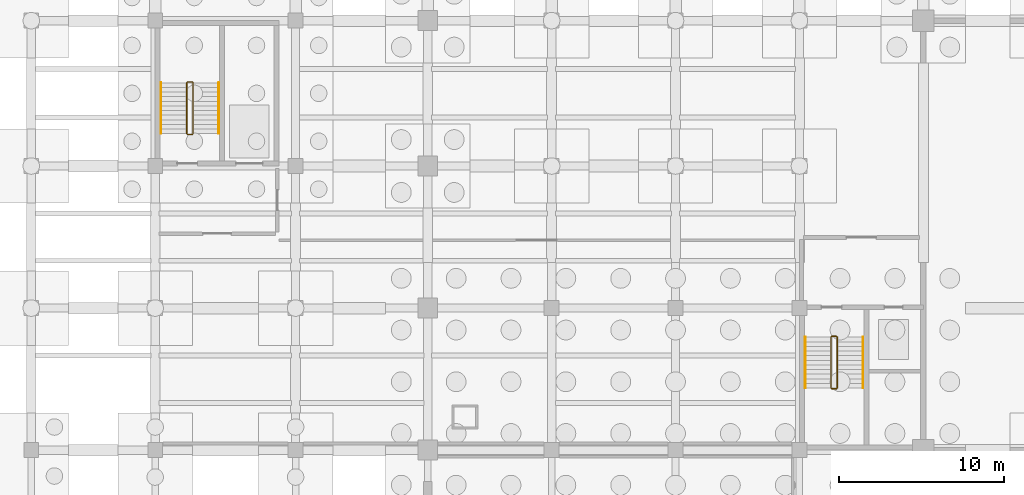
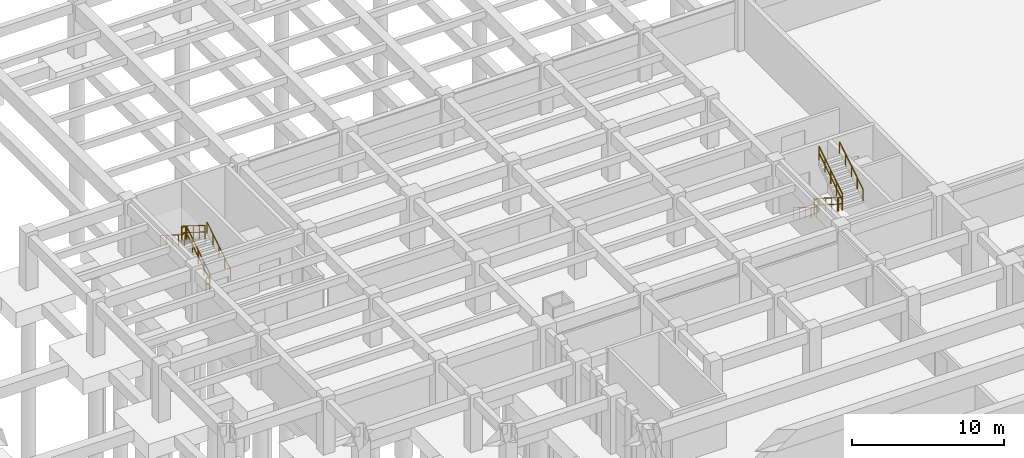
# One storey, part 30 of 32: 12 railings.
"""IFC4 building model written with IfcOpenShell, lengths in metres."""

from ifc_helpers import new_model, si_unit, direction, frame, origin, origin_2d, place, context, subcontext, project, spatial, circle, extrude, material, type_object, element, save


model = new_model("IFC4")

# Units and contexts
model_context = context("Model", 3, precision=1e-05, world=origin(), true_north=direction((0.0, 1.0)))
body_context = subcontext(model_context, "Body", "Model", "MODEL_VIEW")
ifc_project = project(units=[si_unit("LENGTHUNIT", "METRE"), si_unit("AREAUNIT", "SQUARE_METRE"), si_unit("VOLUMEUNIT", "CUBIC_METRE"), si_unit("PLANEANGLEUNIT", "RADIAN"), si_unit("MASSUNIT", "GRAM", prefix="KILO")], contexts=[model_context])

# Site, building, storey
site_placement = place(None, origin())
site = spatial("IfcSite", under=ifc_project, at=site_placement, CompositionType="ELEMENT")
building_placement = place(site_placement, origin())
building = spatial("IfcBuilding", under=site, at=building_placement, Name="Muzn Square Opera House", CompositionType="ELEMENT")
storey_placement = place(building_placement, frame((0.0, 0.0, -4.199951171875)))
storey = spatial("IfcBuildingStorey", under=building, at=storey_placement, Name="B1", CompositionType="ELEMENT", Elevation=-4.199951171875)

# Railings
ifc_material = material(Name="Brushed stainless steel", Category="metal")
railing_type_1 = type_object("IfcRailingType", Name="Stair Guard Railing 1120mm", PredefinedType="GUARDRAIL", material=ifc_material)
railing_1_placement = place(storey_placement, frame((67.409912109375, 79.43994140625, 0.175048828125)))
element("IfcRailing", 1, at=railing_1_placement, inside=storey, type_object=railing_type_1, Name="B1 ST-1 stair guard 1", PredefinedType="GUARDRAIL", context=body_context, shape_type="SweptSolid", body=[
    extrude(circle(Radius=0.02392578125, at=origin_2d()), frame((0.0, 0.0, 1.076171875), z_axis=(0.0, -0.848009633417, 0.529980812513), x_axis=(1.0, 0.0, 0.0)), (0.0, 0.0, 1.0), 3.6318359375),
    extrude(circle(Radius=0.02392578125, at=origin_2d()), frame((0.0, 0.0, 0.550048828125), z_axis=(0.0, -0.848009633417, 0.529980812513), x_axis=(1.0, 0.0, 0.0)), (0.0, 0.0, 1.0), 3.6318359375),
    extrude(circle(Radius=0.02099609375, at=origin_2d()), origin(), (0.0, 0.0, 1.0), 1.052001953125),
    extrude(circle(Radius=0.02099609375, at=origin_2d()), frame((0.0, -0.77001953125, 0.481201171875)), (0.0, 0.0, 1.0), 1.052001953125),
    extrude(circle(Radius=0.02099609375, at=origin_2d()), frame((0.0, -1.5400390625, 0.96240234375)), (0.0, 0.0, 1.0), 1.052001953125),
    extrude(circle(Radius=0.02099609375, at=origin_2d()), frame((0.0, -2.309814453125, 1.443603515625)), (0.0, 0.0, 1.0), 1.052001953125),
    extrude(circle(Radius=0.02099609375, at=origin_2d()), frame((0.0, -3.079833984375, 1.9248046875)), (0.0, 0.0, 1.0), 1.052001953125),
])
railing_2_placement = place(storey_placement, frame((67.4599609375, 76.31005859375, 2.099853515625)))
element("IfcRailing", 2, at=railing_2_placement, inside=storey, type_object=railing_type_1, Name="B1 ST-1 stair guard 2", PredefinedType="GUARDRAIL", context=body_context, shape_type="SweptSolid", body=[
    extrude(circle(Radius=0.02392578125, at=origin_2d()), frame((0.0, 0.0, 1.076171875), z_axis=(1.0, 0.0, 0.0), x_axis=(0.0, 1.0, 0.0)), (0.0, 0.0, 1.0), 0.280029296875),
    extrude(circle(Radius=0.02392578125, at=origin_2d()), frame((0.0, 0.0, 0.550048828125), z_axis=(1.0, 0.0, 0.0), x_axis=(0.0, 1.0, 0.0)), (0.0, 0.0, 1.0), 0.280029296875),
    extrude(circle(Radius=0.02099609375, at=origin_2d()), origin(), (0.0, 0.0, 1.0), 1.052001953125),
    extrude(circle(Radius=0.02099609375, at=origin_2d()), frame((0.280029296875, 0.0, 0.0)), (0.0, 0.0, 1.0), 1.052001953125),
])
railing_3_placement = place(storey_placement, frame((67.7900390625, 76.360107421875, 2.27490234375)))
element("IfcRailing", 3, at=railing_3_placement, inside=storey, type_object=railing_type_1, Name="B1 ST-1 stair guard 3", PredefinedType="GUARDRAIL", context=body_context, shape_type="SweptSolid", body=[
    extrude(circle(Radius=0.02392578125, at=origin_2d()), frame((0.0, 0.0, 1.076171875), z_axis=(0.0, 0.847979421464, 0.530029150871), x_axis=(-1.0, 0.0, 0.0)), (0.0, 0.0, 1.0), 3.632080078125),
    extrude(circle(Radius=0.02392578125, at=origin_2d()), frame((0.0, 0.0, 0.550048828125), z_axis=(0.0, 0.847979421464, 0.530029150871), x_axis=(-1.0, 0.0, 0.0)), (0.0, 0.0, 1.0), 3.632080078125),
    extrude(circle(Radius=0.02099609375, at=origin_2d()), origin(), (0.0, 0.0, 1.0), 1.052001953125),
    extrude(circle(Radius=0.02099609375, at=origin_2d()), frame((0.0, 0.77001953125, 0.481201171875)), (0.0, 0.0, 1.0), 1.052001953125),
    extrude(circle(Radius=0.02099609375, at=origin_2d()), frame((0.0, 1.5400390625, 0.96240234375)), (0.0, 0.0, 1.0), 1.052001953125),
    extrude(circle(Radius=0.02099609375, at=origin_2d()), frame((0.0, 2.309814453125, 1.44384765625)), (0.0, 0.0, 1.0), 1.052001953125),
    extrude(circle(Radius=0.02099609375, at=origin_2d()), frame((0.0, 3.079833984375, 1.925048828125)), (0.0, 0.0, 1.0), 1.052001953125),
])
railing_4_placement = place(storey_placement, frame((67.4599609375, 79.489990234375, 0.0)))
element("IfcRailing", 4, at=railing_4_placement, inside=storey, type_object=railing_type_1, Name="B1 ST-1 stair guard 4", PredefinedType="GUARDRAIL", context=body_context, shape_type="SweptSolid", body=[
    extrude(circle(Radius=0.02392578125, at=origin_2d()), frame((0.0, 0.0, 1.076171875), z_axis=(1.0, 0.0, 0.0), x_axis=(0.0, 1.0, 0.0)), (0.0, 0.0, 1.0), 0.280029296875),
    extrude(circle(Radius=0.02392578125, at=origin_2d()), frame((0.0, 0.0, 0.550048828125), z_axis=(1.0, 0.0, 0.0), x_axis=(0.0, 1.0, 0.0)), (0.0, 0.0, 1.0), 0.280029296875),
    extrude(circle(Radius=0.02099609375, at=origin_2d()), origin(), (0.0, 0.0, 1.0), 1.052001953125),
    extrude(circle(Radius=0.02099609375, at=origin_2d()), frame((0.280029296875, 0.0, 0.0)), (0.0, 0.0, 1.0), 1.052001953125),
])
railing_5_placement = place(storey_placement, frame((28.7900390625, 91.760009765625, 0.175048828125)))
element("IfcRailing", 5, at=railing_5_placement, inside=storey, type_object=railing_type_1, Name="B1 ST-6 stair guard 1", PredefinedType="GUARDRAIL", context=body_context, shape_type="SweptSolid", body=[
    extrude(circle(Radius=0.02392578125, at=origin_2d()), frame((0.0, 0.0, 1.076171875), z_axis=(0.0, 0.848028513186, 0.529950602248), x_axis=(-1.0, 0.0, 0.0)), (0.0, 0.0, 1.0), 3.632080078125),
    extrude(circle(Radius=0.02392578125, at=origin_2d()), frame((0.0, 0.0, 0.550048828125), z_axis=(0.0, 0.848028513186, 0.529950602248), x_axis=(-1.0, 0.0, 0.0)), (0.0, 0.0, 1.0), 3.632080078125),
    extrude(circle(Radius=0.02099609375, at=origin_2d()), origin(), (0.0, 0.0, 1.0), 1.052001953125),
    extrude(circle(Radius=0.02099609375, at=origin_2d()), frame((0.0, 0.77001953125, 0.481201171875)), (0.0, 0.0, 1.0), 1.052001953125),
    extrude(circle(Radius=0.02099609375, at=origin_2d()), frame((0.0, 1.5400390625, 0.96240234375)), (0.0, 0.0, 1.0), 1.052001953125),
    extrude(circle(Radius=0.02099609375, at=origin_2d()), frame((0.0, 2.31005859375, 1.443603515625)), (0.0, 0.0, 1.0), 1.052001953125),
    extrude(circle(Radius=0.02099609375, at=origin_2d()), frame((0.0, 3.080078125, 1.9248046875)), (0.0, 0.0, 1.0), 1.052001953125),
])
railing_6_placement = place(storey_placement, frame((28.739990234375, 94.889892578125, 2.099853515625)))
element("IfcRailing", 6, at=railing_6_placement, inside=storey, type_object=railing_type_1, Name="B1 ST-6 stair guard 2", PredefinedType="GUARDRAIL", context=body_context, shape_type="SweptSolid", body=[
    extrude(circle(Radius=0.02392578125, at=origin_2d()), frame((0.0, 0.0, 1.076171875), z_axis=(-1.0, 0.0, 0.0), x_axis=(0.0, -1.0, 0.0)), (0.0, 0.0, 1.0), 0.280029296875),
    extrude(circle(Radius=0.02392578125, at=origin_2d()), frame((0.0, 0.0, 0.550048828125), z_axis=(-1.0, 0.0, 0.0), x_axis=(0.0, -1.0, 0.0)), (0.0, 0.0, 1.0), 0.280029296875),
    extrude(circle(Radius=0.02099609375, at=origin_2d()), origin(), (0.0, 0.0, 1.0), 1.052001953125),
    extrude(circle(Radius=0.02099609375, at=origin_2d()), frame((-0.280029296875, 0.0, 0.0)), (0.0, 0.0, 1.0), 1.052001953125),
])
railing_7_placement = place(storey_placement, frame((28.409912109375, 94.840087890625, 2.27490234375)))
element("IfcRailing", 7, at=railing_7_placement, inside=storey, type_object=railing_type_1, Name="B1 ST-6 stair guard 3", PredefinedType="GUARDRAIL", context=body_context, shape_type="SweptSolid", body=[
    extrude(circle(Radius=0.02392578125, at=origin_2d()), frame((0.0, 0.0, 1.076171875), z_axis=(0.0, -0.847998304005, 0.529998940003), x_axis=(1.0, 0.0, 0.0)), (0.0, 0.0, 1.0), 3.632080078125),
    extrude(circle(Radius=0.02392578125, at=origin_2d()), frame((0.0, 0.0, 0.550048828125), z_axis=(0.0, -0.847998304005, 0.529998940003), x_axis=(1.0, 0.0, 0.0)), (0.0, 0.0, 1.0), 3.632080078125),
    extrude(circle(Radius=0.02099609375, at=origin_2d()), origin(), (0.0, 0.0, 1.0), 1.052001953125),
    extrude(circle(Radius=0.02099609375, at=origin_2d()), frame((0.0, -0.77001953125, 0.481201171875)), (0.0, 0.0, 1.0), 1.052001953125),
    extrude(circle(Radius=0.02099609375, at=origin_2d()), frame((0.0, -1.5400390625, 0.96240234375)), (0.0, 0.0, 1.0), 1.052001953125),
    extrude(circle(Radius=0.02099609375, at=origin_2d()), frame((0.0, -2.31005859375, 1.44384765625)), (0.0, 0.0, 1.0), 1.052001953125),
    extrude(circle(Radius=0.02099609375, at=origin_2d()), frame((0.0, -3.080078125, 1.925048828125)), (0.0, 0.0, 1.0), 1.052001953125),
])
railing_8_placement = place(storey_placement, frame((28.739990234375, 91.7099609375, 0.0)))
element("IfcRailing", 8, at=railing_8_placement, inside=storey, type_object=railing_type_1, Name="B1 ST-6 stair guard 4", PredefinedType="GUARDRAIL", context=body_context, shape_type="SweptSolid", body=[
    extrude(circle(Radius=0.02392578125, at=origin_2d()), frame((0.0, 0.0, 1.076171875), z_axis=(-1.0, 0.0, 0.0), x_axis=(0.0, -1.0, 0.0)), (0.0, 0.0, 1.0), 0.280029296875),
    extrude(circle(Radius=0.02392578125, at=origin_2d()), frame((0.0, 0.0, 0.550048828125), z_axis=(-1.0, 0.0, 0.0), x_axis=(0.0, -1.0, 0.0)), (0.0, 0.0, 1.0), 0.280029296875),
    extrude(circle(Radius=0.02099609375, at=origin_2d()), origin(), (0.0, 0.0, 1.0), 1.052001953125),
    extrude(circle(Radius=0.02099609375, at=origin_2d()), frame((-0.280029296875, 0.0, 0.0)), (0.0, 0.0, 1.0), 1.052001953125),
])
railing_type_2 = type_object("IfcRailingType", Name="Stair Pitch Handrail 900mm", PredefinedType="HANDRAIL", material=ifc_material)
railing_9_placement = place(storey_placement, frame((65.85009765625, 79.43994140625, 0.175048828125)))
element("IfcRailing", 9, at=railing_9_placement, inside=storey, type_object=railing_type_2, Name="B1 ST-1 stair handrail 1", PredefinedType="HANDRAIL", context=body_context, shape_type="SweptSolid", body=[
    extrude(circle(Radius=0.02392578125, at=origin_2d()), frame((0.0, 0.0, 0.8759765625), z_axis=(0.0, -0.848009633417, 0.529980812513), x_axis=(1.0, 0.0, 0.0)), (0.0, 0.0, 1.0), 3.6318359375),
    extrude(circle(Radius=0.02099609375, at=origin_2d()), origin(), (0.0, 0.0, 1.0), 0.851806640625),
    extrude(circle(Radius=0.02099609375, at=origin_2d()), frame((0.0, -0.77001953125, 0.481201171875)), (0.0, 0.0, 1.0), 0.851806640625),
    extrude(circle(Radius=0.02099609375, at=origin_2d()), frame((0.0, -1.5400390625, 0.96240234375)), (0.0, 0.0, 1.0), 0.851806640625),
    extrude(circle(Radius=0.02099609375, at=origin_2d()), frame((0.0, -2.309814453125, 1.443603515625)), (0.0, 0.0, 1.0), 0.851806640625),
    extrude(circle(Radius=0.02099609375, at=origin_2d()), frame((0.0, -3.079833984375, 1.9248046875)), (0.0, 0.0, 1.0), 0.851806640625),
])
railing_10_placement = place(storey_placement, frame((69.35009765625, 76.360107421875, 2.27490234375)))
element("IfcRailing", 10, at=railing_10_placement, inside=storey, type_object=railing_type_2, Name="B1 ST-1 stair handrail 2", PredefinedType="HANDRAIL", context=body_context, shape_type="SweptSolid", body=[
    extrude(circle(Radius=0.02392578125, at=origin_2d()), frame((0.0, 0.0, 0.8759765625), z_axis=(0.0, 0.847979421464, 0.530029150871), x_axis=(-1.0, 0.0, 0.0)), (0.0, 0.0, 1.0), 3.632080078125),
    extrude(circle(Radius=0.02099609375, at=origin_2d()), origin(), (0.0, 0.0, 1.0), 0.851806640625),
    extrude(circle(Radius=0.02099609375, at=origin_2d()), frame((0.0, 0.77001953125, 0.481201171875)), (0.0, 0.0, 1.0), 0.851806640625),
    extrude(circle(Radius=0.02099609375, at=origin_2d()), frame((0.0, 1.5400390625, 0.96240234375)), (0.0, 0.0, 1.0), 0.851806640625),
    extrude(circle(Radius=0.02099609375, at=origin_2d()), frame((0.0, 2.309814453125, 1.44384765625)), (0.0, 0.0, 1.0), 0.851806640625),
    extrude(circle(Radius=0.02099609375, at=origin_2d()), frame((0.0, 3.079833984375, 1.925048828125)), (0.0, 0.0, 1.0), 0.851806640625),
])
railing_11_placement = place(storey_placement, frame((30.35009765625, 91.760009765625, 0.175048828125)))
element("IfcRailing", 11, at=railing_11_placement, inside=storey, type_object=railing_type_2, Name="B1 ST-6 stair handrail 1", PredefinedType="HANDRAIL", context=body_context, shape_type="SweptSolid", body=[
    extrude(circle(Radius=0.02392578125, at=origin_2d()), frame((0.0, 0.0, 0.8759765625), z_axis=(0.0, 0.848028513186, 0.529950602248), x_axis=(-1.0, 0.0, 0.0)), (0.0, 0.0, 1.0), 3.632080078125),
    extrude(circle(Radius=0.02099609375, at=origin_2d()), origin(), (0.0, 0.0, 1.0), 0.851806640625),
    extrude(circle(Radius=0.02099609375, at=origin_2d()), frame((0.0, 0.77001953125, 0.481201171875)), (0.0, 0.0, 1.0), 0.851806640625),
    extrude(circle(Radius=0.02099609375, at=origin_2d()), frame((0.0, 1.5400390625, 0.96240234375)), (0.0, 0.0, 1.0), 0.851806640625),
    extrude(circle(Radius=0.02099609375, at=origin_2d()), frame((0.0, 2.31005859375, 1.443603515625)), (0.0, 0.0, 1.0), 0.851806640625),
    extrude(circle(Radius=0.02099609375, at=origin_2d()), frame((0.0, 3.080078125, 1.9248046875)), (0.0, 0.0, 1.0), 0.851806640625),
])
railing_12_placement = place(storey_placement, frame((26.85009765625, 94.840087890625, 2.27490234375)))
element("IfcRailing", 12, at=railing_12_placement, inside=storey, type_object=railing_type_2, Name="B1 ST-6 stair handrail 2", PredefinedType="HANDRAIL", context=body_context, shape_type="SweptSolid", body=[
    extrude(circle(Radius=0.02392578125, at=origin_2d()), frame((0.0, 0.0, 0.8759765625), z_axis=(0.0, -0.847998304005, 0.529998940003), x_axis=(1.0, 0.0, 0.0)), (0.0, 0.0, 1.0), 3.632080078125),
    extrude(circle(Radius=0.02099609375, at=origin_2d()), origin(), (0.0, 0.0, 1.0), 0.851806640625),
    extrude(circle(Radius=0.02099609375, at=origin_2d()), frame((0.0, -0.77001953125, 0.481201171875)), (0.0, 0.0, 1.0), 0.851806640625),
    extrude(circle(Radius=0.02099609375, at=origin_2d()), frame((0.0, -1.5400390625, 0.96240234375)), (0.0, 0.0, 1.0), 0.851806640625),
    extrude(circle(Radius=0.02099609375, at=origin_2d()), frame((0.0, -2.31005859375, 1.44384765625)), (0.0, 0.0, 1.0), 0.851806640625),
    extrude(circle(Radius=0.02099609375, at=origin_2d()), frame((0.0, -3.080078125, 1.925048828125)), (0.0, 0.0, 1.0), 0.851806640625),
])

save(model, "model.ifc")
